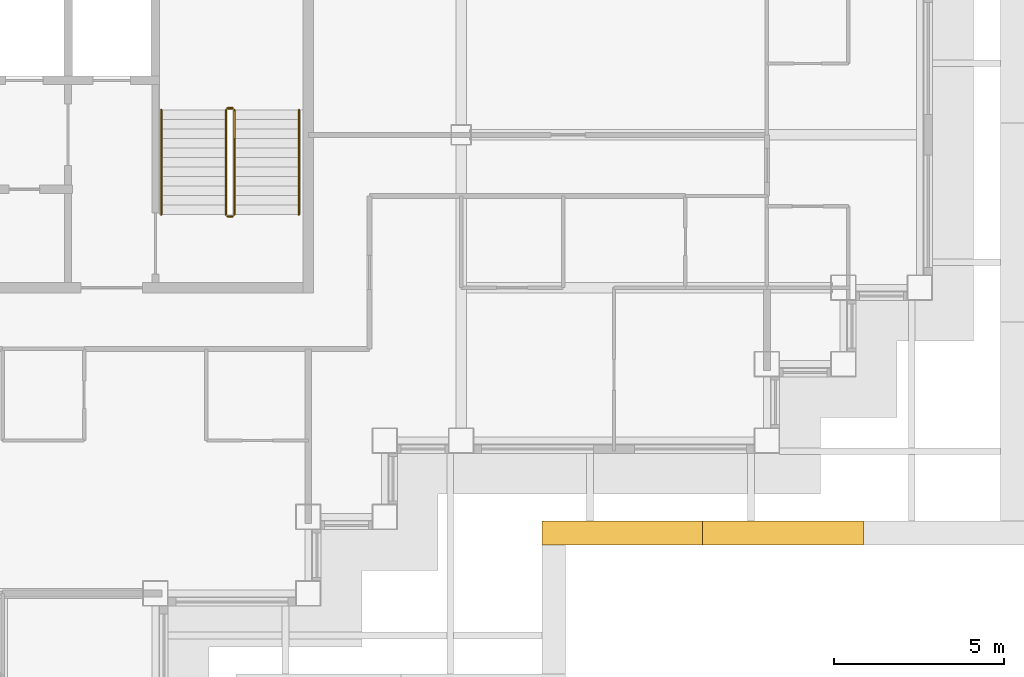
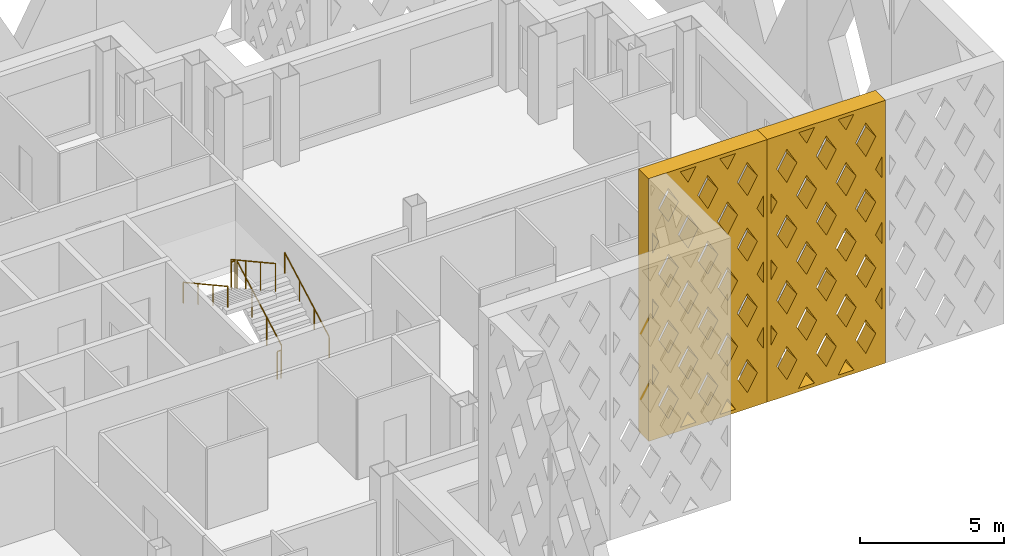
# One storey, part 16 of 18: 6 railings, 2 shading devices.
"""IFC4 building model written with IfcOpenShell, lengths in metres."""

from ifc_helpers import new_model, si_unit, direction, frame, origin, origin_2d, place, context, subcontext, project, spatial, polyline, circle, outline, extrude, material, type_object, element, save


model = new_model("IFC4")

# Units and contexts
model_context = context("Model", 3, precision=1e-05, world=origin(), true_north=direction((0.0, 1.0)))
body_context = subcontext(model_context, "Body", "Model", "MODEL_VIEW")
ifc_project = project(units=[si_unit("LENGTHUNIT", "METRE"), si_unit("AREAUNIT", "SQUARE_METRE"), si_unit("VOLUMEUNIT", "CUBIC_METRE"), si_unit("PLANEANGLEUNIT", "RADIAN"), si_unit("MASSUNIT", "GRAM", prefix="KILO")], contexts=[model_context])

# Site, building, storey
site_placement = place(None, origin())
site = spatial("IfcSite", under=ifc_project, at=site_placement, CompositionType="ELEMENT")
building_placement = place(site_placement, origin())
building = spatial("IfcBuilding", under=site, at=building_placement, Name="Caravel Reach Hotel and Residences", CompositionType="ELEMENT")
storey_placement = place(building_placement, frame((0.0, 0.0, 176.5)))
storey = spatial("IfcBuildingStorey", under=building, at=storey_placement, Name="L44", CompositionType="ELEMENT", Elevation=176.5)

# Shading devices
ifc_material_1 = material(Name="Black powder-coated aluminium", Category="aluminium")
shading_device_type = type_object("IfcShadingDeviceType", Name="Diamond lattice screen panel 4733 x 11100", PredefinedType="USERDEFINED", material=ifc_material_1)
shading_device_1_placement = place(storey_placement, frame((51.875, 15.625, 0.0), z_axis=(0.0, -1.0, 0.0), x_axis=(1.0, 0.0, 0.0)))
element("IfcShadingDevice", 1, at=shading_device_1_placement, inside=storey, type_object=shading_device_type, Name="Lattice screen L44-L46 6.1", ObjectType="SCREEN", PredefinedType="USERDEFINED", context=body_context, shape_type="SweptSolid", body=[
    extrude(outline(polyline([(0.0, 0.0), (4.7333984375, 0.0), (4.7333984375, 11.10009765625), (0.0, 11.10009765625), (0.0, 0.0)]), holes=[polyline([(0.401123046875, 2.77490234375), (0.14990234375, 3.216796875), (0.14990234375, 2.333251953125), (0.401123046875, 2.77490234375)]), polyline([(0.401123046875, 5.550048828125), (0.14990234375, 5.99169921875), (0.14990234375, 5.108154296875), (0.401123046875, 5.550048828125)]), polyline([(0.401123046875, 8.324951171875), (0.14990234375, 8.766845703125), (0.14990234375, 7.88330078125), (0.401123046875, 8.324951171875)]), polyline([(0.788818359375, 2.093017578125), (0.3876953125, 1.387451171875), (0.788818359375, 0.681884765625), (1.190185546875, 1.387451171875), (0.788818359375, 2.093017578125)]), polyline([(0.788818359375, 4.8681640625), (0.3876953125, 4.16259765625), (0.788818359375, 3.456787109375), (1.190185546875, 4.16259765625), (0.788818359375, 4.8681640625)]), polyline([(0.788818359375, 7.64306640625), (0.3876953125, 6.9375), (0.788818359375, 6.23193359375), (1.190185546875, 6.9375), (0.788818359375, 7.64306640625)]), polyline([(0.788818359375, 10.418212890625), (0.3876953125, 9.71240234375), (0.788818359375, 9.0068359375), (1.190185546875, 9.71240234375), (0.788818359375, 10.418212890625)]), polyline([(1.577880859375, 0.70556640625), (1.261962890625, 0.14990234375), (1.893798828125, 0.14990234375), (1.577880859375, 0.70556640625)]), polyline([(1.577880859375, 3.480712890625), (1.176513671875, 2.77490234375), (1.577880859375, 2.0693359375), (1.97900390625, 2.77490234375), (1.577880859375, 3.480712890625)]), polyline([(1.577880859375, 6.255615234375), (1.176513671875, 5.550048828125), (1.577880859375, 4.844482421875), (1.97900390625, 5.550048828125), (1.577880859375, 6.255615234375)]), polyline([(1.577880859375, 9.030517578125), (1.176513671875, 8.324951171875), (1.577880859375, 7.619384765625), (1.97900390625, 8.324951171875), (1.577880859375, 9.030517578125)]), polyline([(1.577880859375, 10.394287109375), (1.893798828125, 10.949951171875), (1.261962890625, 10.949951171875), (1.577880859375, 10.394287109375)]), polyline([(2.36669921875, 2.093017578125), (1.965576171875, 1.387451171875), (2.36669921875, 0.681884765625), (2.767822265625, 1.387451171875), (2.36669921875, 2.093017578125)]), polyline([(2.36669921875, 4.8681640625), (1.965576171875, 4.16259765625), (2.36669921875, 3.456787109375), (2.767822265625, 4.16259765625), (2.36669921875, 4.8681640625)]), polyline([(2.36669921875, 7.64306640625), (1.965576171875, 6.9375), (2.36669921875, 6.23193359375), (2.767822265625, 6.9375), (2.36669921875, 7.64306640625)]), polyline([(2.36669921875, 10.418212890625), (1.965576171875, 9.71240234375), (2.36669921875, 9.0068359375), (2.767822265625, 9.71240234375), (2.36669921875, 10.418212890625)]), polyline([(3.155517578125, 0.70556640625), (2.839599609375, 0.14990234375), (3.471435546875, 0.14990234375), (3.155517578125, 0.70556640625)]), polyline([(3.155517578125, 3.480712890625), (2.75439453125, 2.77490234375), (3.155517578125, 2.0693359375), (3.556640625, 2.77490234375), (3.155517578125, 3.480712890625)]), polyline([(3.155517578125, 6.255615234375), (2.75439453125, 5.550048828125), (3.155517578125, 4.844482421875), (3.556640625, 5.550048828125), (3.155517578125, 6.255615234375)]), polyline([(3.155517578125, 9.030517578125), (2.75439453125, 8.324951171875), (3.155517578125, 7.619384765625), (3.556640625, 8.324951171875), (3.155517578125, 9.030517578125)]), polyline([(3.155517578125, 10.394287109375), (3.471435546875, 10.949951171875), (2.839599609375, 10.949951171875), (3.155517578125, 10.394287109375)]), polyline([(3.9443359375, 2.093017578125), (3.543212890625, 1.387451171875), (3.9443359375, 0.681884765625), (4.345703125, 1.387451171875), (3.9443359375, 2.093017578125)]), polyline([(3.9443359375, 4.8681640625), (3.543212890625, 4.16259765625), (3.9443359375, 3.456787109375), (4.345703125, 4.16259765625), (3.9443359375, 4.8681640625)]), polyline([(3.9443359375, 7.64306640625), (3.543212890625, 6.9375), (3.9443359375, 6.23193359375), (4.345703125, 6.9375), (3.9443359375, 7.64306640625)]), polyline([(3.9443359375, 10.418212890625), (3.543212890625, 9.71240234375), (3.9443359375, 9.0068359375), (4.345703125, 9.71240234375), (3.9443359375, 10.418212890625)]), polyline([(4.33203125, 2.77490234375), (4.583251953125, 2.333251953125), (4.583251953125, 3.216796875), (4.33203125, 2.77490234375)]), polyline([(4.33203125, 5.550048828125), (4.583251953125, 5.108154296875), (4.583251953125, 5.99169921875), (4.33203125, 5.550048828125)]), polyline([(4.33203125, 8.324951171875), (4.583251953125, 7.88330078125), (4.583251953125, 8.766845703125), (4.33203125, 8.324951171875)])]), origin(), (0.0, 0.0, 1.0), 0.699951171875),
])
shading_device_2_placement = place(storey_placement, frame((56.6083984375, 15.625, 0.0), z_axis=(0.0, -1.0, 0.0), x_axis=(1.0, 0.0, 0.0)))
element("IfcShadingDevice", 2, at=shading_device_2_placement, inside=storey, type_object=shading_device_type, Name="Lattice screen L44-L46 6.2", ObjectType="SCREEN", PredefinedType="USERDEFINED", context=body_context, shape_type="SweptSolid", body=[
    extrude(outline(polyline([(0.0, 0.0), (4.7333984375, 0.0), (4.7333984375, 11.10009765625), (0.0, 11.10009765625), (0.0, 0.0)]), holes=[polyline([(0.401123046875, 2.77490234375), (0.14990234375, 3.216796875), (0.14990234375, 2.333251953125), (0.401123046875, 2.77490234375)]), polyline([(0.401123046875, 5.550048828125), (0.14990234375, 5.99169921875), (0.14990234375, 5.108154296875), (0.401123046875, 5.550048828125)]), polyline([(0.401123046875, 8.324951171875), (0.14990234375, 8.766845703125), (0.14990234375, 7.88330078125), (0.401123046875, 8.324951171875)]), polyline([(0.788818359375, 2.093017578125), (0.3876953125, 1.387451171875), (0.788818359375, 0.681884765625), (1.190185546875, 1.387451171875), (0.788818359375, 2.093017578125)]), polyline([(0.788818359375, 4.8681640625), (0.3876953125, 4.16259765625), (0.788818359375, 3.456787109375), (1.190185546875, 4.16259765625), (0.788818359375, 4.8681640625)]), polyline([(0.788818359375, 7.64306640625), (0.3876953125, 6.9375), (0.788818359375, 6.23193359375), (1.190185546875, 6.9375), (0.788818359375, 7.64306640625)]), polyline([(0.788818359375, 10.418212890625), (0.3876953125, 9.71240234375), (0.788818359375, 9.0068359375), (1.190185546875, 9.71240234375), (0.788818359375, 10.418212890625)]), polyline([(1.577880859375, 0.70556640625), (1.261962890625, 0.14990234375), (1.893798828125, 0.14990234375), (1.577880859375, 0.70556640625)]), polyline([(1.577880859375, 3.480712890625), (1.176513671875, 2.77490234375), (1.577880859375, 2.0693359375), (1.97900390625, 2.77490234375), (1.577880859375, 3.480712890625)]), polyline([(1.577880859375, 6.255615234375), (1.176513671875, 5.550048828125), (1.577880859375, 4.844482421875), (1.97900390625, 5.550048828125), (1.577880859375, 6.255615234375)]), polyline([(1.577880859375, 9.030517578125), (1.176513671875, 8.324951171875), (1.577880859375, 7.619384765625), (1.97900390625, 8.324951171875), (1.577880859375, 9.030517578125)]), polyline([(1.577880859375, 10.394287109375), (1.893798828125, 10.949951171875), (1.261962890625, 10.949951171875), (1.577880859375, 10.394287109375)]), polyline([(2.36669921875, 2.093017578125), (1.965576171875, 1.387451171875), (2.36669921875, 0.681884765625), (2.767822265625, 1.387451171875), (2.36669921875, 2.093017578125)]), polyline([(2.36669921875, 4.8681640625), (1.965576171875, 4.16259765625), (2.36669921875, 3.456787109375), (2.767822265625, 4.16259765625), (2.36669921875, 4.8681640625)]), polyline([(2.36669921875, 7.64306640625), (1.965576171875, 6.9375), (2.36669921875, 6.23193359375), (2.767822265625, 6.9375), (2.36669921875, 7.64306640625)]), polyline([(2.36669921875, 10.418212890625), (1.965576171875, 9.71240234375), (2.36669921875, 9.0068359375), (2.767822265625, 9.71240234375), (2.36669921875, 10.418212890625)]), polyline([(3.155517578125, 0.70556640625), (2.839599609375, 0.14990234375), (3.471435546875, 0.14990234375), (3.155517578125, 0.70556640625)]), polyline([(3.155517578125, 3.480712890625), (2.75439453125, 2.77490234375), (3.155517578125, 2.0693359375), (3.556640625, 2.77490234375), (3.155517578125, 3.480712890625)]), polyline([(3.155517578125, 6.255615234375), (2.75439453125, 5.550048828125), (3.155517578125, 4.844482421875), (3.556640625, 5.550048828125), (3.155517578125, 6.255615234375)]), polyline([(3.155517578125, 9.030517578125), (2.75439453125, 8.324951171875), (3.155517578125, 7.619384765625), (3.556640625, 8.324951171875), (3.155517578125, 9.030517578125)]), polyline([(3.155517578125, 10.394287109375), (3.471435546875, 10.949951171875), (2.839599609375, 10.949951171875), (3.155517578125, 10.394287109375)]), polyline([(3.9443359375, 2.093017578125), (3.543212890625, 1.387451171875), (3.9443359375, 0.681884765625), (4.345703125, 1.387451171875), (3.9443359375, 2.093017578125)]), polyline([(3.9443359375, 4.8681640625), (3.543212890625, 4.16259765625), (3.9443359375, 3.456787109375), (4.345703125, 4.16259765625), (3.9443359375, 4.8681640625)]), polyline([(3.9443359375, 7.64306640625), (3.543212890625, 6.9375), (3.9443359375, 6.23193359375), (4.345703125, 6.9375), (3.9443359375, 7.64306640625)]), polyline([(3.9443359375, 10.418212890625), (3.543212890625, 9.71240234375), (3.9443359375, 9.0068359375), (4.345703125, 9.71240234375), (3.9443359375, 10.418212890625)]), polyline([(4.33203125, 2.77490234375), (4.583251953125, 2.333251953125), (4.583251953125, 3.216796875), (4.33203125, 2.77490234375)]), polyline([(4.33203125, 5.550048828125), (4.583251953125, 5.108154296875), (4.583251953125, 5.99169921875), (4.33203125, 5.550048828125)]), polyline([(4.33203125, 8.324951171875), (4.583251953125, 7.88330078125), (4.583251953125, 8.766845703125), (4.33203125, 8.324951171875)])]), origin(), (0.0, 0.0, 1.0), 0.699951171875),
])

# Railings
ifc_material_2 = material(Name="Steel balustrade with glass infill", Category="steel")
railing_type_1 = type_object("IfcRailingType", Name="Guard 1200", PredefinedType="GUARDRAIL", material=ifc_material_2)
railing_1_placement = place(storey_placement, frame((42.824951171875, 24.64990234375, 0.154052734375)))
element("IfcRailing", 3, at=railing_1_placement, inside=storey, type_object=railing_type_1, Name="L44 ST-B stair guard 1", PredefinedType="GUARDRAIL", context=body_context, shape_type="SweptSolid", body=[
    extrude(circle(Radius=0.02392578125, at=origin_2d()), frame((0.0, 0.0, 1.17578125), z_axis=(0.0, 0.875975380505, 0.482355815502), x_axis=(-1.0, 0.0, 0.0)), (0.0, 0.0, 1.0), 3.51611328125),
    extrude(circle(Radius=0.02099609375, at=origin_2d()), origin(), (0.0, 0.0, 1.0), 1.15185546875),
    extrude(circle(Radius=0.02099609375, at=origin_2d()), frame((0.0, 1.026611328125, 0.5654296875)), (0.0, 0.0, 1.0), 1.15185546875),
    extrude(circle(Radius=0.02099609375, at=origin_2d()), frame((0.0, 2.053466796875, 1.130615234375)), (0.0, 0.0, 1.0), 1.15185546875),
    extrude(circle(Radius=0.02099609375, at=origin_2d()), frame((0.0, 3.080078125, 1.696044921875)), (0.0, 0.0, 1.0), 1.15185546875),
])
railing_2_placement = place(storey_placement, frame((42.77490234375, 27.780029296875, 1.85009765625)))
element("IfcRailing", 4, at=railing_2_placement, inside=storey, type_object=railing_type_1, Name="L44 ST-B stair guard 2", PredefinedType="GUARDRAIL", context=body_context, shape_type="SweptSolid", body=[
    extrude(circle(Radius=0.02392578125, at=origin_2d()), frame((0.0, 0.0, 1.17578125), z_axis=(-1.0, 0.0, 0.0), x_axis=(0.0, -1.0, 0.0)), (0.0, 0.0, 1.0), 0.14990234375),
    extrude(circle(Radius=0.02099609375, at=origin_2d()), origin(), (0.0, 0.0, 1.0), 1.15185546875),
    extrude(circle(Radius=0.02099609375, at=origin_2d()), frame((-0.14990234375, 0.0, 0.0)), (0.0, 0.0, 1.0), 1.15185546875),
])
railing_3_placement = place(storey_placement, frame((42.574951171875, 27.72998046875, 2.004150390625)))
element("IfcRailing", 5, at=railing_3_placement, inside=storey, type_object=railing_type_1, Name="L44 ST-B stair guard 3", PredefinedType="GUARDRAIL", context=body_context, shape_type="SweptSolid", body=[
    extrude(circle(Radius=0.02392578125, at=origin_2d()), frame((0.0, 0.0, 1.17578125), z_axis=(0.0, -0.876004717809, 0.482302534076), x_axis=(1.0, 0.0, 0.0)), (0.0, 0.0, 1.0), 3.51611328125),
    extrude(circle(Radius=0.02099609375, at=origin_2d()), origin(), (0.0, 0.0, 1.0), 1.15185546875),
    extrude(circle(Radius=0.02099609375, at=origin_2d()), frame((0.0, -1.026611328125, 0.565185546875)), (0.0, 0.0, 1.0), 1.15185546875),
    extrude(circle(Radius=0.02099609375, at=origin_2d()), frame((0.0, -2.053466796875, 1.130615234375)), (0.0, 0.0, 1.0), 1.15185546875),
    extrude(circle(Radius=0.02099609375, at=origin_2d()), frame((0.0, -3.080078125, 1.69580078125)), (0.0, 0.0, 1.0), 1.15185546875),
])
railing_4_placement = place(storey_placement, frame((42.77490234375, 24.60009765625, 0.0)))
element("IfcRailing", 6, at=railing_4_placement, inside=storey, type_object=railing_type_1, Name="L44 ST-B stair guard 4", PredefinedType="GUARDRAIL", context=body_context, shape_type="SweptSolid", body=[
    extrude(circle(Radius=0.02392578125, at=origin_2d()), frame((0.0, 0.0, 1.17578125), z_axis=(-1.0, 0.0, 0.0), x_axis=(0.0, -1.0, 0.0)), (0.0, 0.0, 1.0), 0.14990234375),
    extrude(circle(Radius=0.02099609375, at=origin_2d()), origin(), (0.0, 0.0, 1.0), 1.15185546875),
    extrude(circle(Radius=0.02099609375, at=origin_2d()), frame((-0.14990234375, 0.0, 0.0)), (0.0, 0.0, 1.0), 1.15185546875),
])
ifc_material_3 = material(Name="Stainless steel handrail", Category="steel")
railing_type_2 = type_object("IfcRailingType", Name="Handrail 900", PredefinedType="HANDRAIL", material=ifc_material_3)
railing_5_placement = place(storey_placement, frame((44.72509765625, 24.64990234375, 0.154052734375)))
element("IfcRailing", 7, at=railing_5_placement, inside=storey, type_object=railing_type_2, Name="L44 ST-B stair handrail 1", PredefinedType="HANDRAIL", context=body_context, shape_type="SweptSolid", body=[
    extrude(circle(Radius=0.02392578125, at=origin_2d()), frame((0.0, 0.0, 0.8759765625), z_axis=(0.0, 0.875975380505, 0.482355815502), x_axis=(-1.0, 0.0, 0.0)), (0.0, 0.0, 1.0), 3.51611328125),
    extrude(circle(Radius=0.02099609375, at=origin_2d()), origin(), (0.0, 0.0, 1.0), 0.851806640625),
    extrude(circle(Radius=0.02099609375, at=origin_2d()), frame((0.0, 1.026611328125, 0.5654296875)), (0.0, 0.0, 1.0), 0.851806640625),
    extrude(circle(Radius=0.02099609375, at=origin_2d()), frame((0.0, 2.053466796875, 1.130615234375)), (0.0, 0.0, 1.0), 0.851806640625),
    extrude(circle(Radius=0.02099609375, at=origin_2d()), frame((0.0, 3.080078125, 1.696044921875)), (0.0, 0.0, 1.0), 0.851806640625),
])
railing_6_placement = place(storey_placement, frame((40.675048828125, 27.72998046875, 2.004150390625)))
element("IfcRailing", 8, at=railing_6_placement, inside=storey, type_object=railing_type_2, Name="L44 ST-B stair handrail 2", PredefinedType="HANDRAIL", context=body_context, shape_type="SweptSolid", body=[
    extrude(circle(Radius=0.02392578125, at=origin_2d()), frame((0.0, 0.0, 0.8759765625), z_axis=(0.0, -0.876004717809, 0.482302534076), x_axis=(1.0, 0.0, 0.0)), (0.0, 0.0, 1.0), 3.51611328125),
    extrude(circle(Radius=0.02099609375, at=origin_2d()), origin(), (0.0, 0.0, 1.0), 0.851806640625),
    extrude(circle(Radius=0.02099609375, at=origin_2d()), frame((0.0, -1.026611328125, 0.565185546875)), (0.0, 0.0, 1.0), 0.851806640625),
    extrude(circle(Radius=0.02099609375, at=origin_2d()), frame((0.0, -2.053466796875, 1.130615234375)), (0.0, 0.0, 1.0), 0.851806640625),
    extrude(circle(Radius=0.02099609375, at=origin_2d()), frame((0.0, -3.080078125, 1.69580078125)), (0.0, 0.0, 1.0), 0.851806640625),
])

save(model, "model.ifc")
